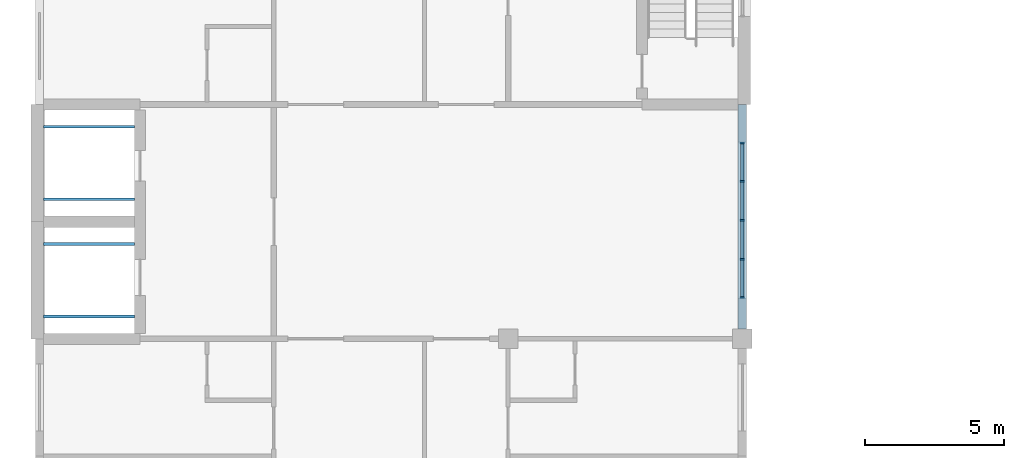
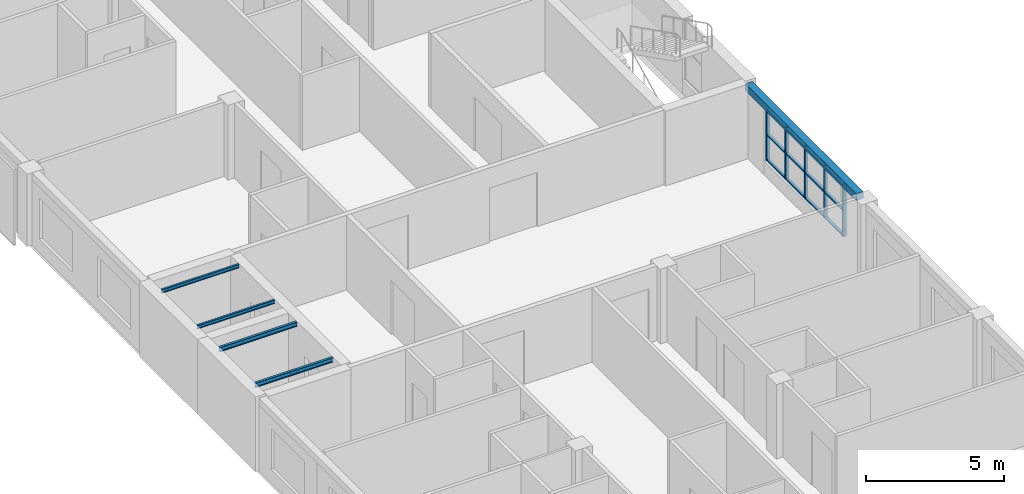
# One storey, part 11 of 48: 17 members, 5 beams, 1 element without a shape of its own.
"""IFC4 building model written with IfcOpenShell, lengths in metres."""

from ifc_helpers import new_model, si_unit, direction, frame, origin, origin_2d, place, context, subcontext, project, spatial, rectangle, i_section, extrude, material, material_profile, profile_set, type_object, element, aggregate, save


model = new_model("IFC4")

# Units and contexts
model_context = context("Model", 3, precision=1e-05, world=origin(), true_north=direction((0.0, 1.0)))
body_context = subcontext(model_context, "Body", "Model", "MODEL_VIEW")
ifc_project = project(units=[si_unit("LENGTHUNIT", "METRE"), si_unit("AREAUNIT", "SQUARE_METRE"), si_unit("VOLUMEUNIT", "CUBIC_METRE"), si_unit("PLANEANGLEUNIT", "RADIAN"), si_unit("MASSUNIT", "GRAM", prefix="KILO")], contexts=[model_context])

# Site, building, storey
site_placement = place(None, origin())
site = spatial("IfcSite", under=ifc_project, at=site_placement, CompositionType="ELEMENT")
building_placement = place(site_placement, origin())
building = spatial("IfcBuilding", under=site, at=building_placement, Name="Yavir Park General Hospital", CompositionType="ELEMENT")
storey_placement = place(building_placement, frame((0.0, 0.0, 26.10009765625)))
storey = spatial("IfcBuildingStorey", under=building, at=storey_placement, Name="L06", CompositionType="ELEMENT", Elevation=26.10009765625)

# Curtain wall, members
ifc_material_1 = material(Name="Aluminium curtain wall frame with insulated glazing", Category="aluminium")
curtain_wall_type = type_object("IfcCurtainWallType", Name="Day room pocket glazing, ward floors, 2300 high, 1400 module", PredefinedType="NOTDEFINED", material=ifc_material_1)
curtain_wall_placement = place(storey_placement, origin())
curtain_wall = element("IfcCurtainWall", 1, at=curtain_wall_placement, inside=storey, type_object=curtain_wall_type, Name="CW63 L06-023", PredefinedType="NOTDEFINED")
ifc_material_2 = material(Name="Aluminium", Category="aluminium")
ifc_material_profile_1 = material_profile(ifc_material_2, rectangle(XDim=0.139892578125, YDim=0.06005859375, at=origin_2d()), Name="AL 60x140")
ifc_profile_set_1 = profile_set([ifc_material_profile_1], Name="Aluminium")
member_type_1 = type_object("IfcMemberType", Name="Day room pocket glazing, ward floors, 2300 high mullion 60 x 140", PredefinedType="MULLION", material=ifc_profile_set_1)
member_1_placement = place(storey_placement, frame((25.199951171875, 68.679931640625, 0.599853515625), z_axis=(0.0, 0.0, 1.0), x_axis=(-1.0, 0.0, 0.0)))
member_1 = element("IfcMember", 2, at=member_1_placement, type_object=member_type_1, Name="CW63 mullion 1", PredefinedType="MULLION", context=body_context, shape_type="SweptSolid", body=[
    extrude(rectangle(XDim=0.139892578125, YDim=0.06005859375, at=origin_2d()), origin(), (0.0, 0.0, 1.0), 2.300048828125),
])
member_2_placement = place(storey_placement, frame((25.199951171875, 70.050048828125, 0.599853515625), z_axis=(0.0, 0.0, 1.0), x_axis=(-1.0, 0.0, 0.0)))
member_2 = element("IfcMember", 3, at=member_2_placement, type_object=member_type_1, Name="CW63 mullion 2", PredefinedType="MULLION", context=body_context, shape_type="SweptSolid", body=[
    extrude(rectangle(XDim=0.139892578125, YDim=0.06005859375, at=origin_2d()), origin(), (0.0, 0.0, 1.0), 2.300048828125),
])
member_3_placement = place(storey_placement, frame((25.199951171875, 71.449951171875, 0.599853515625), z_axis=(0.0, 0.0, 1.0), x_axis=(-1.0, 0.0, 0.0)))
member_3 = element("IfcMember", 4, at=member_3_placement, type_object=member_type_1, Name="CW63 mullion 3", PredefinedType="MULLION", context=body_context, shape_type="SweptSolid", body=[
    extrude(rectangle(XDim=0.139892578125, YDim=0.06005859375, at=origin_2d()), origin(), (0.0, 0.0, 1.0), 2.300048828125),
])
member_4_placement = place(storey_placement, frame((25.199951171875, 72.85009765625, 0.599853515625), z_axis=(0.0, 0.0, 1.0), x_axis=(-1.0, 0.0, 0.0)))
member_4 = element("IfcMember", 5, at=member_4_placement, type_object=member_type_1, Name="CW63 mullion 4", PredefinedType="MULLION", context=body_context, shape_type="SweptSolid", body=[
    extrude(rectangle(XDim=0.139892578125, YDim=0.06005859375, at=origin_2d()), origin(), (0.0, 0.0, 1.0), 2.300048828125),
])
member_5_placement = place(storey_placement, frame((25.199951171875, 74.219970703125, 0.599853515625), z_axis=(0.0, 0.0, 1.0), x_axis=(-1.0, 0.0, 0.0)))
member_5 = element("IfcMember", 6, at=member_5_placement, type_object=member_type_1, Name="CW63 mullion 5", PredefinedType="MULLION", context=body_context, shape_type="SweptSolid", body=[
    extrude(rectangle(XDim=0.139892578125, YDim=0.06005859375, at=origin_2d()), origin(), (0.0, 0.0, 1.0), 2.300048828125),
])
ifc_material_3 = material(Name="Aluminium", Category="aluminium")
ifc_material_profile_2 = material_profile(ifc_material_3, rectangle(XDim=0.1201171875, YDim=0.06005859375, at=origin_2d()), Name="AL 120x60")
ifc_profile_set_2 = profile_set([ifc_material_profile_2], Name="Aluminium")
member_type_2 = type_object("IfcMemberType", Name="Day room pocket glazing, ward floors, 2300 high transom 60 x 120", PredefinedType="MULLION", material=ifc_profile_set_2)
member_6_placement = place(storey_placement, frame((25.199951171875, 68.7099609375, 0.6298828125), z_axis=(0.0, 1.0, 0.0), x_axis=(-1.0, 0.0, 0.0)))
member_6 = element("IfcMember", 7, at=member_6_placement, type_object=member_type_2, Name="CW63 transom 1.1", PredefinedType="MULLION", context=body_context, shape_type="SweptSolid", body=[
    extrude(rectangle(XDim=0.1201171875, YDim=0.06005859375, at=origin_2d()), origin(), (0.0, 0.0, 1.0), 1.31005859375),
])
member_7_placement = place(storey_placement, frame((25.199951171875, 68.7099609375, 1.75), z_axis=(0.0, 1.0, 0.0), x_axis=(-1.0, 0.0, 0.0)))
member_7 = element("IfcMember", 8, at=member_7_placement, type_object=member_type_2, Name="CW63 transom 1.2", PredefinedType="MULLION", context=body_context, shape_type="SweptSolid", body=[
    extrude(rectangle(XDim=0.1201171875, YDim=0.06005859375, at=origin_2d()), origin(), (0.0, 0.0, 1.0), 1.31005859375),
])
member_8_placement = place(storey_placement, frame((25.199951171875, 68.7099609375, 2.869873046875), z_axis=(0.0, 1.0, 0.0), x_axis=(-1.0, 0.0, 0.0)))
member_8 = element("IfcMember", 9, at=member_8_placement, type_object=member_type_2, Name="CW63 transom 1.3", PredefinedType="MULLION", context=body_context, shape_type="SweptSolid", body=[
    extrude(rectangle(XDim=0.1201171875, YDim=0.06005859375, at=origin_2d()), origin(), (0.0, 0.0, 1.0), 1.31005859375),
])
member_9_placement = place(storey_placement, frame((25.199951171875, 70.080078125, 0.6298828125), z_axis=(0.0, 1.0, 0.0), x_axis=(-1.0, 0.0, 0.0)))
member_9 = element("IfcMember", 10, at=member_9_placement, type_object=member_type_2, Name="CW63 transom 2.1", PredefinedType="MULLION", context=body_context, shape_type="SweptSolid", body=[
    extrude(rectangle(XDim=0.1201171875, YDim=0.06005859375, at=origin_2d()), origin(), (0.0, 0.0, 1.0), 1.33984375),
])
member_10_placement = place(storey_placement, frame((25.199951171875, 70.080078125, 1.75), z_axis=(0.0, 1.0, 0.0), x_axis=(-1.0, 0.0, 0.0)))
member_10 = element("IfcMember", 11, at=member_10_placement, type_object=member_type_2, Name="CW63 transom 2.2", PredefinedType="MULLION", context=body_context, shape_type="SweptSolid", body=[
    extrude(rectangle(XDim=0.1201171875, YDim=0.06005859375, at=origin_2d()), origin(), (0.0, 0.0, 1.0), 1.33984375),
])
member_11_placement = place(storey_placement, frame((25.199951171875, 70.080078125, 2.869873046875), z_axis=(0.0, 1.0, 0.0), x_axis=(-1.0, 0.0, 0.0)))
member_11 = element("IfcMember", 12, at=member_11_placement, type_object=member_type_2, Name="CW63 transom 2.3", PredefinedType="MULLION", context=body_context, shape_type="SweptSolid", body=[
    extrude(rectangle(XDim=0.1201171875, YDim=0.06005859375, at=origin_2d()), origin(), (0.0, 0.0, 1.0), 1.33984375),
])
member_12_placement = place(storey_placement, frame((25.199951171875, 71.47998046875, 0.6298828125), z_axis=(0.0, 1.0, 0.0), x_axis=(-1.0, 0.0, 0.0)))
member_12 = element("IfcMember", 13, at=member_12_placement, type_object=member_type_2, Name="CW63 transom 3.1", PredefinedType="MULLION", context=body_context, shape_type="SweptSolid", body=[
    extrude(rectangle(XDim=0.1201171875, YDim=0.06005859375, at=origin_2d()), origin(), (0.0, 0.0, 1.0), 1.340087890625),
])
member_13_placement = place(storey_placement, frame((25.199951171875, 71.47998046875, 1.75), z_axis=(0.0, 1.0, 0.0), x_axis=(-1.0, 0.0, 0.0)))
member_13 = element("IfcMember", 14, at=member_13_placement, type_object=member_type_2, Name="CW63 transom 3.2", PredefinedType="MULLION", context=body_context, shape_type="SweptSolid", body=[
    extrude(rectangle(XDim=0.1201171875, YDim=0.06005859375, at=origin_2d()), origin(), (0.0, 0.0, 1.0), 1.340087890625),
])
member_14_placement = place(storey_placement, frame((25.199951171875, 71.47998046875, 2.869873046875), z_axis=(0.0, 1.0, 0.0), x_axis=(-1.0, 0.0, 0.0)))
member_14 = element("IfcMember", 15, at=member_14_placement, type_object=member_type_2, Name="CW63 transom 3.3", PredefinedType="MULLION", context=body_context, shape_type="SweptSolid", body=[
    extrude(rectangle(XDim=0.1201171875, YDim=0.06005859375, at=origin_2d()), origin(), (0.0, 0.0, 1.0), 1.340087890625),
])
member_15_placement = place(storey_placement, frame((25.199951171875, 72.8798828125, 0.6298828125), z_axis=(0.0, 1.0, 0.0), x_axis=(-1.0, 0.0, 0.0)))
member_15 = element("IfcMember", 16, at=member_15_placement, type_object=member_type_2, Name="CW63 transom 4.1", PredefinedType="MULLION", context=body_context, shape_type="SweptSolid", body=[
    extrude(rectangle(XDim=0.1201171875, YDim=0.06005859375, at=origin_2d()), origin(), (0.0, 0.0, 1.0), 1.31005859375),
])
member_16_placement = place(storey_placement, frame((25.199951171875, 72.8798828125, 1.75), z_axis=(0.0, 1.0, 0.0), x_axis=(-1.0, 0.0, 0.0)))
member_16 = element("IfcMember", 17, at=member_16_placement, type_object=member_type_2, Name="CW63 transom 4.2", PredefinedType="MULLION", context=body_context, shape_type="SweptSolid", body=[
    extrude(rectangle(XDim=0.1201171875, YDim=0.06005859375, at=origin_2d()), origin(), (0.0, 0.0, 1.0), 1.31005859375),
])
member_17_placement = place(storey_placement, frame((25.199951171875, 72.8798828125, 2.869873046875), z_axis=(0.0, 1.0, 0.0), x_axis=(-1.0, 0.0, 0.0)))
member_17 = element("IfcMember", 18, at=member_17_placement, type_object=member_type_2, Name="CW63 transom 4.3", PredefinedType="MULLION", context=body_context, shape_type="SweptSolid", body=[
    extrude(rectangle(XDim=0.1201171875, YDim=0.06005859375, at=origin_2d()), origin(), (0.0, 0.0, 1.0), 1.31005859375),
])
aggregate(curtain_wall, [member_1, member_2, member_3, member_4, member_5, member_6, member_7, member_8, member_9, member_10, member_11, member_12, member_13, member_14, member_15, member_16, member_17])

# Beams
ifc_material_4 = material(Name="Steel S355", Category="steel")
ifc_material_profile_3 = material_profile(ifc_material_4, i_section(OverallWidth=0.08203125, OverallDepth=0.159912109375, WebThickness=0.0048828125, FlangeThickness=0.00732421875, FilletRadius=0.009033203125, at=origin_2d()), Name="IPE160")
ifc_profile_set_3 = profile_set([ifc_material_profile_3], Name="Steel S355")
beam_type_1 = type_object("IfcBeamType", Name="IPE 160 lift machine beam", PredefinedType="BEAM", material=ifc_profile_set_3)
for number, where, z_axis, x_axis, name in (
    (19, (0.14990234375, 72.199951171875, 3.219970703125), (1.0, 0.0, 0.0), (0.0, 1.0, 0.0), "B:MACH:PL6:0"),
    (20, (0.14990234375, 74.800048828125, 3.219970703125), (1.0, 0.0, 0.0), (0.0, 1.0, 0.0), "B:MACH:PL6:1"),
):
    element("IfcBeam", number, at=place(storey_placement, frame(where, z_axis=z_axis, x_axis=x_axis)), inside=storey, type_object=beam_type_1, Name=name, PredefinedType="BEAM", context=body_context, shape_type="SweptSolid", body=[
        extrude(i_section(OverallWidth=0.08203125, OverallDepth=0.159912109375, WebThickness=0.0048828125, FlangeThickness=0.00732421875, FilletRadius=0.009033203125, at=origin_2d()), origin(), (0.0, 0.0, 1.0), 3.25),
    ])
ifc_material_5 = material(Name="Steel S355", Category="steel")
ifc_material_profile_4 = material_profile(ifc_material_5, i_section(OverallWidth=0.10009765625, OverallDepth=0.199951171875, WebThickness=0.005615234375, FlangeThickness=0.008544921875, FilletRadius=0.011962890625, at=origin_2d()), Name="IPE200")
ifc_profile_set_4 = profile_set([ifc_material_profile_4], Name="Steel S355")
beam_type_2 = type_object("IfcBeamType", Name="IPE 200 lift machine beam", PredefinedType="BEAM", material=ifc_profile_set_4)
for number, where, z_axis, x_axis, name in (
    (21, (0.14990234375, 68.0, 3.199951171875), (1.0, 0.0, 0.0), (0.0, 1.0, 0.0), "B:MACH:BL7:0"),
    (22, (0.14990234375, 70.60009765625, 3.199951171875), (1.0, 0.0, 0.0), (0.0, 1.0, 0.0), "B:MACH:BL7:1"),
):
    element("IfcBeam", number, at=place(storey_placement, frame(where, z_axis=z_axis, x_axis=x_axis)), inside=storey, type_object=beam_type_2, Name=name, PredefinedType="BEAM", context=body_context, shape_type="SweptSolid", body=[
        extrude(i_section(OverallWidth=0.10009765625, OverallDepth=0.199951171875, WebThickness=0.005615234375, FlangeThickness=0.008544921875, FilletRadius=0.011962890625, at=origin_2d()), origin(), (0.0, 0.0, 1.0), 3.25),
    ])
ifc_material_6 = material(Name="Concrete C35/45", Category="concrete")
ifc_material_profile_5 = material_profile(ifc_material_6, rectangle(XDim=0.300048828125, YDim=0.300048828125, at=origin_2d()), Name="RC300x300")
ifc_profile_set_5 = profile_set([ifc_material_profile_5], Name="Concrete C35/45")
beam_type_3 = type_object("IfcBeamType", Name="RC BEAM 300x300 edge beam", PredefinedType="BEAM", material=ifc_profile_set_5)
beam_placement = place(storey_placement, frame((25.199951171875, 67.550048828125, 3.0498046875), z_axis=(0.0, 1.0, 0.0), x_axis=(-1.0, 0.0, 0.0)))
element("IfcBeam", 23, at=beam_placement, inside=storey, type_object=beam_type_3, Name="B:EDGE:L06:031", PredefinedType="BEAM", context=body_context, shape_type="SweptSolid", body=[
    extrude(rectangle(XDim=0.300048828125, YDim=0.300048828125, at=origin_2d()), origin(), (0.0, 0.0, 1.0), 8.050048828125),
])

save(model, "model.ifc")
